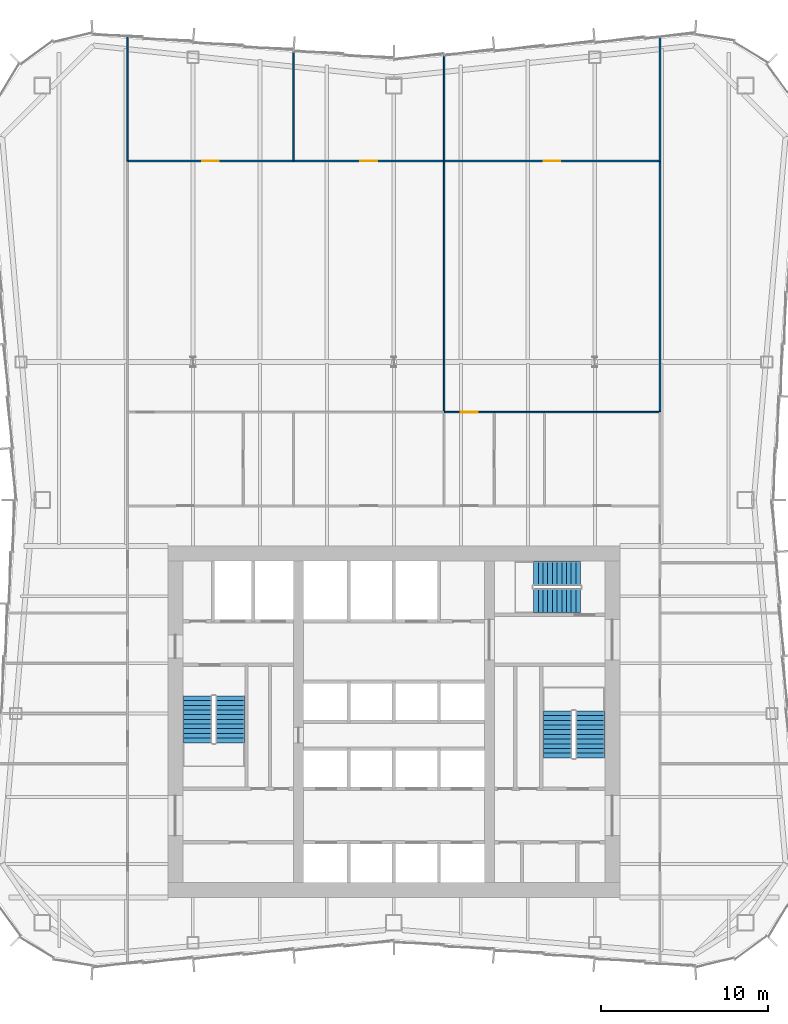
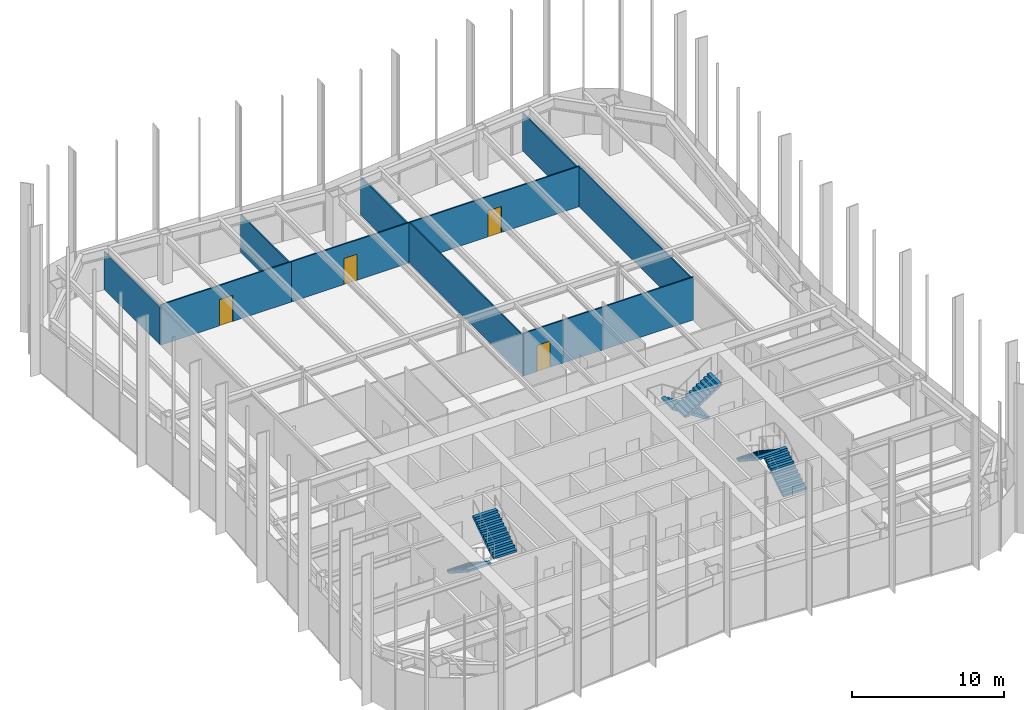
# One storey, part 12 of 13: 12 walls, 6 stair flights, 4 doors, 4 openings, 3 elements without a shape of their own.
"""IFC4 building model written with IfcOpenShell, lengths in metres."""

from ifc_helpers import new_model, si_unit, direction, frame, frame_2d, origin, place, context, subcontext, project, spatial, polyline, rectangle, outline, extrude, material, layer, layer_set, type_object, element, fill, aggregate, save


model = new_model("IFC4")

# Units and contexts
model_context = context("Model", 3, precision=1e-05, world=origin(), true_north=direction((0.0, 1.0)))
body_context = subcontext(model_context, "Body", "Model", "MODEL_VIEW")
ifc_project = project(units=[si_unit("LENGTHUNIT", "METRE"), si_unit("AREAUNIT", "SQUARE_METRE"), si_unit("VOLUMEUNIT", "CUBIC_METRE"), si_unit("PLANEANGLEUNIT", "RADIAN"), si_unit("MASSUNIT", "GRAM", prefix="KILO")], contexts=[model_context])

# Site, building, storey
site_placement = place(None, origin())
site = spatial("IfcSite", under=ifc_project, at=site_placement, CompositionType="ELEMENT")
building_placement = place(site_placement, origin())
building = spatial("IfcBuilding", under=site, at=building_placement, Name="Verdant Reach Tower", CompositionType="ELEMENT")
storey_placement = place(building_placement, frame((0.0, 0.0, 182.0)))
storey = spatial("IfcBuildingStorey", under=building, at=storey_placement, Name="L41", CompositionType="ELEMENT", Elevation=182.0)

# Wall, opening, door
ifc_material_1 = material(Name="Gypsum board on steel studs", Category="steel")
ifc_layer = layer(ifc_material_1, 0.10009765625)
ifc_layer_set = layer_set([ifc_layer], Name="FL-W1 Partition 100")
wall_type = type_object("IfcWallType", Name="FL-W1 Partition 100", PredefinedType="PARTITIONING", material=ifc_layer_set)
wall_1_placement = place(storey_placement, frame((-15.89990234375, 61.5, 0.0), z_axis=(0.0, 0.0, 1.0), x_axis=(1.0, 0.0, 0.0)))
wall_1 = element("IfcWall", 1, at=wall_1_placement, inside=storey, type_object=wall_type, Name="Partition 41.23", PredefinedType="PARTITIONING", context=body_context, shape_type="SweptSolid", body=[
    extrude(rectangle(XDim=9.89990234375, YDim=0.10009765625, at=frame_2d((4.949951171875, 0.0))), origin(), (0.0, 0.0, 1.0), 3.239990234375),
])
opening_1_placement = place(wall_1_placement, frame((4.449951171875, 0.0, 0.0)))
opening_1 = element("IfcOpeningElement", 2, at=opening_1_placement, cuts=wall_1, Name="Opening D3", PredefinedType="OPENING", context=body_context, shape_type="SweptSolid", body=[
    extrude(rectangle(XDim=1.0, YDim=2.10009765625, at=frame_2d((0.5, 1.050048828125))), frame((0.0, 0.06005859375, 0.0), z_axis=(0.0, -1.0, 0.0), x_axis=(1.0, 0.0, 0.0)), (0.0, 0.0, 1.0), 0.1201171875),
])
ifc_material_2 = material(Name="Painted timber door leaf", Category="wood")
door_type = type_object("IfcDoorType", Name="FL-D3 Door 1000x2100", OperationType="NOTDEFINED", PredefinedType="DOOR", material=ifc_material_2)
door_1_placement = place(opening_1_placement, origin())
door_1 = element("IfcDoor", 3, at=door_1_placement, inside=storey, type_object=door_type, Name="Door 41-016", OperationType="SINGLE_SWING_RIGHT", OverallHeight=2.10009765625, OverallWidth=1.0, PredefinedType="DOOR", context=body_context, shape_type="SweptSolid", body=[
    extrude(rectangle(XDim=1.0, YDim=2.10009765625, at=frame_2d((0.5, 1.050048828125))), frame((0.0, 0.02490234375, 0.0), z_axis=(0.0, -1.0, 0.0), x_axis=(1.0, 0.0, 0.0)), (0.0, 0.0, 1.0), 0.050048828125),
])
fill(opening_1, door_1)

wall_2_placement = place(storey_placement, frame((-6.0, 61.5, 0.0), z_axis=(0.0, 0.0, 1.0), x_axis=(1.0, 0.0, 0.0)))
wall_2 = element("IfcWall", 4, at=wall_2_placement, inside=storey, type_object=wall_type, Name="Partition 41.24", PredefinedType="PARTITIONING", context=body_context, shape_type="SweptSolid", body=[
    extrude(rectangle(XDim=9.0, YDim=0.10009765625, at=frame_2d((4.5, 0.0))), origin(), (0.0, 0.0, 1.0), 3.239990234375),
])
opening_2_placement = place(wall_2_placement, frame((4.0, 0.0, 0.0)))
opening_2 = element("IfcOpeningElement", 5, at=opening_2_placement, cuts=wall_2, Name="Opening D3", PredefinedType="OPENING", context=body_context, shape_type="SweptSolid", body=[
    extrude(rectangle(XDim=1.0, YDim=2.10009765625, at=frame_2d((0.5, 1.050048828125))), frame((0.0, 0.06005859375, 0.0), z_axis=(0.0, -1.0, 0.0), x_axis=(1.0, 0.0, 0.0)), (0.0, 0.0, 1.0), 0.1201171875),
])
door_2_placement = place(opening_2_placement, origin())
door_2 = element("IfcDoor", 6, at=door_2_placement, inside=storey, type_object=door_type, Name="Door 41-017", OperationType="SINGLE_SWING_LEFT", OverallHeight=2.10009765625, OverallWidth=1.0, PredefinedType="DOOR", context=body_context, shape_type="SweptSolid", body=[
    extrude(rectangle(XDim=1.0, YDim=2.10009765625, at=frame_2d((0.5, 1.050048828125))), frame((0.0, 0.02490234375, 0.0), z_axis=(0.0, -1.0, 0.0), x_axis=(1.0, 0.0, 0.0)), (0.0, 0.0, 1.0), 0.050048828125),
])
fill(opening_2, door_2)

# Walls
wall_3_placement = place(storey_placement, frame((3.0, 46.5, 0.0), z_axis=(0.0, 0.0, 1.0), x_axis=(0.0, 1.0, 0.0)))
element("IfcWall", 7, at=wall_3_placement, inside=storey, type_object=wall_type, Name="Partition 41.25", PredefinedType="PARTITIONING", context=body_context, shape_type="SweptSolid", body=[
    extrude(rectangle(XDim=15.0, YDim=0.10009765625, at=frame_2d((7.5, 0.0))), origin(), (0.0, 0.0, 1.0), 3.239990234375),
])
wall_4_placement = place(storey_placement, frame((-6.0, 61.5, 0.0), z_axis=(0.0, 0.0, 1.0), x_axis=(0.0, 1.0, 0.0)))
element("IfcWall", 8, at=wall_4_placement, inside=storey, type_object=wall_type, Name="Partition 41.27", PredefinedType="PARTITIONING", context=body_context, shape_type="SweptSolid", body=[
    extrude(rectangle(XDim=6.580078125, YDim=0.10009765625, at=frame_2d((3.2900390625, 0.0))), origin(), (0.0, 0.0, 1.0), 3.0400390625),
])
wall_5_placement = place(storey_placement, frame((-15.89990234375, 68.905029296875, 0.0), z_axis=(0.0, 0.0, 1.0), x_axis=(0.0, -1.0, 0.0)))
element("IfcWall", 9, at=wall_5_placement, inside=storey, type_object=wall_type, Name="Partition 41.28", PredefinedType="PARTITIONING", context=body_context, shape_type="SweptSolid", body=[
    extrude(rectangle(XDim=7.408935546875, YDim=0.10009765625, at=frame_2d((3.70458984375, 0.0))), origin(), (0.0, 0.0, 1.0), 3.0400390625),
])
wall_6_placement = place(storey_placement, frame((3.0, 61.5, 0.0), z_axis=(0.0, 0.0, 1.0), x_axis=(0.0, 1.0, 0.0)))
element("IfcWall", 10, at=wall_6_placement, inside=storey, type_object=wall_type, Name="Partition 41.29", PredefinedType="PARTITIONING", context=body_context, shape_type="SweptSolid", body=[
    extrude(rectangle(XDim=6.330078125, YDim=0.10009765625, at=frame_2d((3.1650390625, 0.0))), origin(), (0.0, 0.0, 1.0), 3.0400390625),
])

# Wall, opening, door
wall_7_placement = place(storey_placement, frame((3.0, 46.5, 0.0), z_axis=(0.0, 0.0, 1.0), x_axis=(1.0, 0.0, 0.0)))
wall_7 = element("IfcWall", 11, at=wall_7_placement, inside=storey, type_object=wall_type, Name="Partition 41.31", PredefinedType="PARTITIONING", context=body_context, shape_type="SweptSolid", body=[
    extrude(rectangle(XDim=3.00390625, YDim=0.10009765625, at=frame_2d((1.501953125, 0.0))), origin(), (0.0, 0.0, 1.0), 3.43994140625),
])
opening_3_placement = place(wall_7_placement, frame((1.001953125, 0.0, 0.0)))
opening_3 = element("IfcOpeningElement", 12, at=opening_3_placement, cuts=wall_7, Name="Opening D3", PredefinedType="OPENING", context=body_context, shape_type="SweptSolid", body=[
    extrude(rectangle(XDim=1.0, YDim=2.10009765625, at=frame_2d((0.5, 1.050048828125))), frame((0.0, 0.06005859375, 0.0), z_axis=(0.0, -1.0, 0.0), x_axis=(1.0, 0.0, 0.0)), (0.0, 0.0, 1.0), 0.1201171875),
])
door_3_placement = place(opening_3_placement, origin())
door_3 = element("IfcDoor", 13, at=door_3_placement, inside=storey, type_object=door_type, Name="Door 41-019", OperationType="SINGLE_SWING_LEFT", OverallHeight=2.10009765625, OverallWidth=1.0, PredefinedType="DOOR", context=body_context, shape_type="SweptSolid", body=[
    extrude(rectangle(XDim=1.0, YDim=2.10009765625, at=frame_2d((0.5, 1.050048828125))), frame((0.0, 0.02490234375, 0.0), z_axis=(0.0, -1.0, 0.0), x_axis=(1.0, 0.0, 0.0)), (0.0, 0.0, 1.0), 0.050048828125),
])
fill(opening_3, door_3)

# Walls
wall_8_placement = place(storey_placement, frame((9.00390625, 46.5, 0.0), z_axis=(0.0, 0.0, 1.0), x_axis=(-1.0, 0.0, 0.0)))
element("IfcWall", 14, at=wall_8_placement, inside=storey, type_object=wall_type, Name="Partition 41.33", PredefinedType="PARTITIONING", context=body_context, shape_type="SweptSolid", body=[
    extrude(rectangle(XDim=3.0078125, YDim=0.10009765625, at=frame_2d((1.50390625, 0.0))), origin(), (0.0, 0.0, 1.0), 3.43994140625),
])
wall_9_placement = place(storey_placement, frame((15.89990234375, 46.5, 0.0), z_axis=(0.0, 0.0, 1.0), x_axis=(-1.0, 0.0, 0.0)))
element("IfcWall", 15, at=wall_9_placement, inside=storey, type_object=wall_type, Name="Partition 41.34", PredefinedType="PARTITIONING", context=body_context, shape_type="SweptSolid", body=[
    extrude(rectangle(XDim=6.90380859375, YDim=0.10009765625, at=frame_2d((3.451904296875, 0.0))), origin(), (0.0, 0.0, 1.0), 3.43994140625),
])

# Wall, opening, door
wall_10_placement = place(storey_placement, frame((3.0, 61.5, 0.0), z_axis=(0.0, 0.0, 1.0), x_axis=(1.0, 0.0, 0.0)))
wall_10 = element("IfcWall", 16, at=wall_10_placement, inside=storey, type_object=wall_type, Name="Partition 41.36", PredefinedType="PARTITIONING", context=body_context, shape_type="SweptSolid", body=[
    extrude(rectangle(XDim=12.89990234375, YDim=0.10009765625, at=frame_2d((6.449951171875, 0.0))), origin(), (0.0, 0.0, 1.0), 3.239990234375),
])
opening_4_placement = place(wall_10_placement, frame((5.949951171875, 0.0, 0.0)))
opening_4 = element("IfcOpeningElement", 17, at=opening_4_placement, cuts=wall_10, Name="Opening D3", PredefinedType="OPENING", context=body_context, shape_type="SweptSolid", body=[
    extrude(rectangle(XDim=1.0, YDim=2.10009765625, at=frame_2d((0.5, 1.050048828125))), frame((0.0, 0.06005859375, 0.0), z_axis=(0.0, -1.0, 0.0), x_axis=(1.0, 0.0, 0.0)), (0.0, 0.0, 1.0), 0.1201171875),
])
door_4_placement = place(opening_4_placement, origin())
door_4 = element("IfcDoor", 18, at=door_4_placement, inside=storey, type_object=door_type, Name="Door 41-020", OperationType="SINGLE_SWING_RIGHT", OverallHeight=2.10009765625, OverallWidth=1.0, PredefinedType="DOOR", context=body_context, shape_type="SweptSolid", body=[
    extrude(rectangle(XDim=1.0, YDim=2.10009765625, at=frame_2d((0.5, 1.050048828125))), frame((0.0, 0.02490234375, 0.0), z_axis=(0.0, -1.0, 0.0), x_axis=(1.0, 0.0, 0.0)), (0.0, 0.0, 1.0), 0.050048828125),
])
fill(opening_4, door_4)

# Walls
wall_11_placement = place(storey_placement, frame((15.89990234375, 46.49609375, 0.0), z_axis=(0.0, 0.0, 1.0), x_axis=(0.0, 1.0, 0.0)))
element("IfcWall", 19, at=wall_11_placement, inside=storey, type_object=wall_type, Name="Partition 41.37", PredefinedType="PARTITIONING", context=body_context, shape_type="SweptSolid", body=[
    extrude(rectangle(XDim=15.0078125, YDim=0.10009765625, at=frame_2d((7.50390625, 0.0))), origin(), (0.0, 0.0, 1.0), 3.239990234375),
])
wall_12_placement = place(storey_placement, frame((15.89990234375, 61.49609375, 0.0), z_axis=(0.0, 0.0, 1.0), x_axis=(0.0, 1.0, 0.0)))
element("IfcWall", 20, at=wall_12_placement, inside=storey, type_object=wall_type, Name="Partition 41.38", PredefinedType="PARTITIONING", context=body_context, shape_type="SweptSolid", body=[
    extrude(rectangle(XDim=7.408935546875, YDim=0.10009765625, at=frame_2d((3.70458984375, 0.0))), origin(), (0.0, 0.0, 1.0), 3.0400390625),
])

# Stair, stair flights
ifc_material_3 = material(Name="Concrete C40/50", Category="concrete")
stair_type = type_object("IfcStairType", Name="CO-STAIR", PredefinedType="HALF_TURN_STAIR", material=ifc_material_3)
stair_1_placement = place(storey_placement, origin())
stair_1 = element("IfcStair", 21, at=stair_1_placement, inside=storey, type_object=stair_type, Name="L41 Exit stair 1", PredefinedType="HALF_TURN_STAIR")
stair_flight_type = type_object("IfcStairFlightType", Name="CO-STAIR-FLIGHT", PredefinedType="STRAIGHT", material=ifc_material_3)
stair_flight_1_placement = place(storey_placement, frame((-11.72509765625, 29.550048828125, 0.0), z_axis=(0.0, 0.0, 1.0), x_axis=(0.0, -1.0, 0.0)))
stair_flight_1 = element("IfcStairFlight", 22, at=stair_flight_1_placement, type_object=stair_flight_type, Name="ST-1 flight 1", NumberOfRisers=11, NumberOfTreads=10, PredefinedType="STRAIGHT", RiserHeight=0.181818182, TreadLength=0.28, context=body_context, shape_type="SweptSolid", body=[
    extrude(outline(polyline([(0.0, 0.0), (0.0, 0.181884765625), (0.280029296875, 0.181884765625), (0.280029296875, 0.363525390625), (0.56005859375, 0.363525390625), (0.56005859375, 0.54541015625), (0.840087890625, 0.54541015625), (0.840087890625, 0.727294921875), (1.1201171875, 0.727294921875), (1.1201171875, 0.9091796875), (1.39990234375, 0.9091796875), (1.39990234375, 1.0908203125), (1.679931640625, 1.0908203125), (1.679931640625, 1.272705078125), (1.9599609375, 1.272705078125), (1.9599609375, 1.45458984375), (2.239990234375, 1.45458984375), (2.239990234375, 1.636474609375), (2.52001953125, 1.636474609375), (2.52001953125, 1.818115234375), (2.800048828125, 1.818115234375), (2.800048828125, 2.0), (2.800048828125, 1.639404296875), (0.275146484375, 0.0), (0.0, 0.0)])), frame((0.0, 0.875, 0.0), z_axis=(0.0, -1.0, 0.0), x_axis=(1.0, 0.0, 0.0)), (0.0, 0.0, 1.0), 1.75),
])
stair_flight_2_placement = place(storey_placement, frame((-9.77490234375, 26.75, 2.0), z_axis=(0.0, 0.0, 1.0), x_axis=(0.0, 1.0, 0.0)))
stair_flight_2 = element("IfcStairFlight", 23, at=stair_flight_2_placement, type_object=stair_flight_type, Name="ST-1 flight 2", NumberOfRisers=11, NumberOfTreads=10, PredefinedType="STRAIGHT", RiserHeight=0.181818182, TreadLength=0.28, context=body_context, shape_type="SweptSolid", body=[
    extrude(outline(polyline([(0.0, 0.0), (0.0, 0.181884765625), (0.280029296875, 0.181884765625), (0.280029296875, 0.363525390625), (0.56005859375, 0.363525390625), (0.56005859375, 0.54541015625), (0.840087890625, 0.54541015625), (0.840087890625, 0.727294921875), (1.1201171875, 0.727294921875), (1.1201171875, 0.9091796875), (1.39990234375, 0.9091796875), (1.39990234375, 1.0908203125), (1.679931640625, 1.0908203125), (1.679931640625, 1.272705078125), (1.9599609375, 1.272705078125), (1.9599609375, 1.45458984375), (2.239990234375, 1.45458984375), (2.239990234375, 1.636474609375), (2.52001953125, 1.636474609375), (2.52001953125, 1.818115234375), (2.800048828125, 1.818115234375), (2.800048828125, 2.0), (2.800048828125, 1.639404296875), (0.275146484375, 0.0), (0.0, 0.0)])), frame((0.0, 0.875, 0.0), z_axis=(0.0, -1.0, 0.0), x_axis=(1.0, 0.0, 0.0)), (0.0, 0.0, 1.0), 1.75),
])
aggregate(stair_1, [stair_flight_1, stair_flight_2])

stair_2_placement = place(storey_placement, origin())
stair_2 = element("IfcStair", 24, at=stair_2_placement, inside=storey, type_object=stair_type, Name="L41 Exit stair 2", PredefinedType="HALF_TURN_STAIR")
stair_flight_3_placement = place(storey_placement, frame((11.72509765625, 25.85009765625, 0.0), z_axis=(0.0, 0.0, 1.0), x_axis=(0.0, 1.0, 0.0)))
stair_flight_3 = element("IfcStairFlight", 25, at=stair_flight_3_placement, type_object=stair_flight_type, Name="ST-2 flight 1", NumberOfRisers=11, NumberOfTreads=10, PredefinedType="STRAIGHT", RiserHeight=0.181818182, TreadLength=0.28, context=body_context, shape_type="SweptSolid", body=[
    extrude(outline(polyline([(0.0, 0.0), (0.0, 0.181884765625), (0.280029296875, 0.181884765625), (0.280029296875, 0.363525390625), (0.56005859375, 0.363525390625), (0.56005859375, 0.54541015625), (0.840087890625, 0.54541015625), (0.840087890625, 0.727294921875), (1.1201171875, 0.727294921875), (1.1201171875, 0.9091796875), (1.39990234375, 0.9091796875), (1.39990234375, 1.0908203125), (1.679931640625, 1.0908203125), (1.679931640625, 1.272705078125), (1.9599609375, 1.272705078125), (1.9599609375, 1.45458984375), (2.239990234375, 1.45458984375), (2.239990234375, 1.636474609375), (2.52001953125, 1.636474609375), (2.52001953125, 1.818115234375), (2.800048828125, 1.818115234375), (2.800048828125, 2.0), (2.800048828125, 1.639404296875), (0.275146484375, 0.0), (0.0, 0.0)])), frame((0.0, 0.875, 0.0), z_axis=(0.0, -1.0, 0.0), x_axis=(1.0, 0.0, 0.0)), (0.0, 0.0, 1.0), 1.75),
])
stair_flight_4_placement = place(storey_placement, frame((9.77490234375, 28.64990234375, 2.0), z_axis=(0.0, 0.0, 1.0), x_axis=(0.0, -1.0, 0.0)))
stair_flight_4 = element("IfcStairFlight", 26, at=stair_flight_4_placement, type_object=stair_flight_type, Name="ST-2 flight 2", NumberOfRisers=11, NumberOfTreads=10, PredefinedType="STRAIGHT", RiserHeight=0.181818182, TreadLength=0.28, context=body_context, shape_type="SweptSolid", body=[
    extrude(outline(polyline([(0.0, 0.0), (0.0, 0.181884765625), (0.280029296875, 0.181884765625), (0.280029296875, 0.363525390625), (0.56005859375, 0.363525390625), (0.56005859375, 0.54541015625), (0.840087890625, 0.54541015625), (0.840087890625, 0.727294921875), (1.1201171875, 0.727294921875), (1.1201171875, 0.9091796875), (1.39990234375, 0.9091796875), (1.39990234375, 1.0908203125), (1.679931640625, 1.0908203125), (1.679931640625, 1.272705078125), (1.9599609375, 1.272705078125), (1.9599609375, 1.45458984375), (2.239990234375, 1.45458984375), (2.239990234375, 1.636474609375), (2.52001953125, 1.636474609375), (2.52001953125, 1.818115234375), (2.800048828125, 1.818115234375), (2.800048828125, 2.0), (2.800048828125, 1.639404296875), (0.275146484375, 0.0), (0.0, 0.0)])), frame((0.0, 0.875, 0.0), z_axis=(0.0, -1.0, 0.0), x_axis=(1.0, 0.0, 0.0)), (0.0, 0.0, 1.0), 1.75),
])
aggregate(stair_2, [stair_flight_3, stair_flight_4])

stair_3_placement = place(storey_placement, origin())
stair_3 = element("IfcStair", 27, at=stair_3_placement, inside=storey, type_object=stair_type, Name="L41 Exit stair 3", PredefinedType="HALF_TURN_STAIR")
stair_flight_5_placement = place(storey_placement, frame((11.14990234375, 36.875, 0.0), z_axis=(0.0, 0.0, 1.0), x_axis=(-1.0, 0.0, 0.0)))
stair_flight_5 = element("IfcStairFlight", 28, at=stair_flight_5_placement, type_object=stair_flight_type, Name="ST-3 flight 1", NumberOfRisers=11, NumberOfTreads=10, PredefinedType="STRAIGHT", RiserHeight=0.181818182, TreadLength=0.28, context=body_context, shape_type="SweptSolid", body=[
    extrude(outline(polyline([(0.0, 0.0), (0.0, 0.181884765625), (0.280029296875, 0.181884765625), (0.280029296875, 0.363525390625), (0.56005859375, 0.363525390625), (0.56005859375, 0.54541015625), (0.840087890625, 0.54541015625), (0.840087890625, 0.727294921875), (1.1201171875, 0.727294921875), (1.1201171875, 0.9091796875), (1.39990234375, 0.9091796875), (1.39990234375, 1.0908203125), (1.679931640625, 1.0908203125), (1.679931640625, 1.272705078125), (1.9599609375, 1.272705078125), (1.9599609375, 1.45458984375), (2.239990234375, 1.45458984375), (2.239990234375, 1.636474609375), (2.52001953125, 1.636474609375), (2.52001953125, 1.818115234375), (2.800048828125, 1.818115234375), (2.800048828125, 2.0), (2.800048828125, 1.639404296875), (0.275146484375, 0.0), (0.0, 0.0)])), frame((0.0, 0.72509765625, 0.0), z_axis=(0.0, -1.0, 0.0), x_axis=(1.0, 0.0, 0.0)), (0.0, 0.0, 1.0), 1.449951171875),
])
stair_flight_6_placement = place(storey_placement, frame((8.35009765625, 35.22509765625, 2.0), z_axis=(0.0, 0.0, 1.0), x_axis=(1.0, 0.0, 0.0)))
stair_flight_6 = element("IfcStairFlight", 29, at=stair_flight_6_placement, type_object=stair_flight_type, Name="ST-3 flight 2", NumberOfRisers=11, NumberOfTreads=10, PredefinedType="STRAIGHT", RiserHeight=0.181818182, TreadLength=0.28, context=body_context, shape_type="SweptSolid", body=[
    extrude(outline(polyline([(0.0, 0.0), (0.0, 0.181884765625), (0.280029296875, 0.181884765625), (0.280029296875, 0.363525390625), (0.56005859375, 0.363525390625), (0.56005859375, 0.54541015625), (0.840087890625, 0.54541015625), (0.840087890625, 0.727294921875), (1.1201171875, 0.727294921875), (1.1201171875, 0.9091796875), (1.39990234375, 0.9091796875), (1.39990234375, 1.0908203125), (1.679931640625, 1.0908203125), (1.679931640625, 1.272705078125), (1.9599609375, 1.272705078125), (1.9599609375, 1.45458984375), (2.239990234375, 1.45458984375), (2.239990234375, 1.636474609375), (2.52001953125, 1.636474609375), (2.52001953125, 1.818115234375), (2.800048828125, 1.818115234375), (2.800048828125, 2.0), (2.800048828125, 1.639404296875), (0.275146484375, 0.0), (0.0, 0.0)])), frame((0.0, 0.72509765625, 0.0), z_axis=(0.0, -1.0, 0.0), x_axis=(1.0, 0.0, 0.0)), (0.0, 0.0, 1.0), 1.449951171875),
])
aggregate(stair_3, [stair_flight_5, stair_flight_6])

save(model, "model.ifc")
